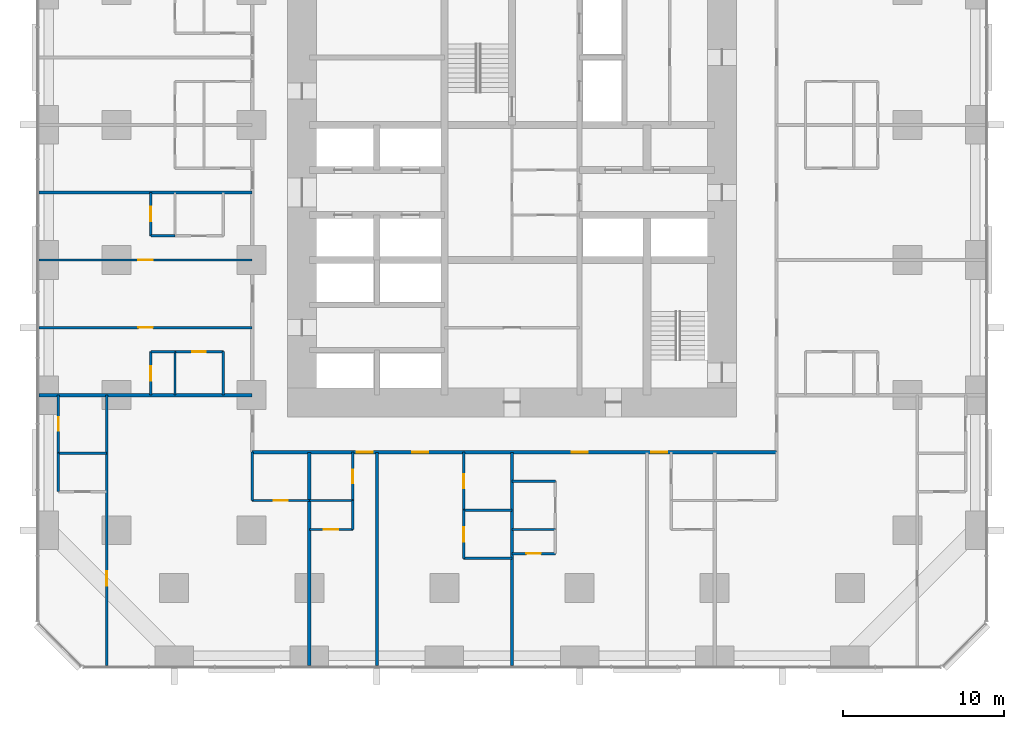
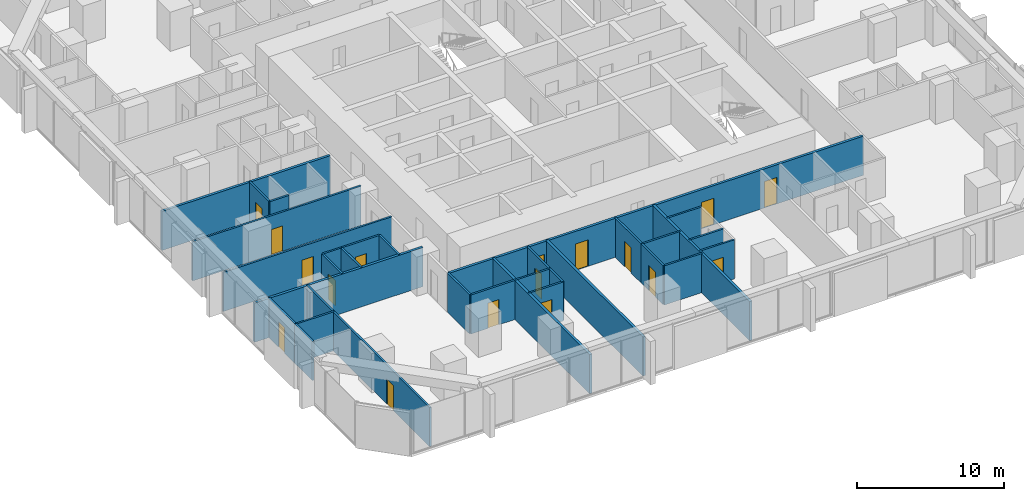
# One storey, part 11 of 17: 32 walls, 17 doors, 17 openings.
"""IFC4 building model written with IfcOpenShell, lengths in metres."""

import ifcopenshell
import ifcopenshell.guid

model = None  # the IFC model being written
_history = None  # IfcOwnerHistory: only IFC2X3 demands one
_inside = {}  # id of a spatial element -> (the spatial element, [elements in it])
_under = {}  # id of a project, library or spatial element -> (it, [spatial elements below it])
_declared = {}  # id of a project -> (the project, [libraries it declares])
_typed = {}  # id of a type object -> (the type object, [elements of that type])
_made_of = {}  # id of a material, layer set ... -> (it, [elements and type objects made of it])


def new_model(schema):
    """Start an empty IFC model of exactly this schema.

    Asked for "IFC4X3", IfcOpenShell would pick the latest addendum, in which some entities
    have other attributes; the version numbers below select the first issue.
    IFC2X3 requires an IfcOwnerHistory on every rooted entity: one is made here for all.
    """
    global model, _history
    if schema == "IFC4X3":
        model = ifcopenshell.file(schema_version=(4, 3, 0, 0))
    else:
        model = ifcopenshell.file(schema=schema)
    _inside.clear()
    _under.clear()
    _declared.clear()
    _typed.clear()
    _made_of.clear()
    _history = None
    if model.schema == "IFC2X3":
        org = make("IfcOrganization", Name="unknown")
        user = make(
            "IfcPersonAndOrganization",
            ThePerson=make("IfcPerson", FamilyName="unknown"),
            TheOrganization=org,
        )
        app = make(
            "IfcApplication",
            ApplicationDeveloper=org,
            Version="unknown",
            ApplicationFullName="unknown",
            ApplicationIdentifier="unknown",
        )
        _history = make(
            "IfcOwnerHistory",
            OwningUser=user,
            OwningApplication=app,
            ChangeAction="ADDED",
            CreationDate=0,
        )
    return model


def make(cls, **values):
    """One entity of the class cls with the attributes given. An attribute that is None is left unset."""
    return model.create_entity(
        cls, **{name: value for name, value in values.items() if value is not None}
    )


def rooted(cls, **values):
    """An entity with a GlobalId (a new one), such as an element, a storey or a relation."""
    return make(cls, GlobalId=ifcopenshell.guid.new(), OwnerHistory=_history, **values)


def si_unit(unit_type, name, prefix=None):
    """IfcSIUnit, for example si_unit("LENGTHUNIT", "METRE", prefix="MILLI")."""
    return make("IfcSIUnit", UnitType=unit_type, Prefix=prefix, Name=name)


def assignment(units):
    """IfcUnitAssignment: the units of a project."""
    return None if units is None else make("IfcUnitAssignment", Units=units)


def point(xyz):
    """IfcCartesianPoint."""
    return None if xyz is None else make("IfcCartesianPoint", Coordinates=xyz)


def direction(xyz):
    """IfcDirection."""
    return None if xyz is None else make("IfcDirection", DirectionRatios=xyz)


def frame(location, z_axis=None, x_axis=None):
    """IfcAxis2Placement3D, a coordinate frame: its origin and axes. An axis left out is left unset."""
    return make(
        "IfcAxis2Placement3D",
        Location=point(location),
        Axis=direction(z_axis),
        RefDirection=direction(x_axis),
    )


def frame_2d(location, x_axis=None):
    """IfcAxis2Placement2D, a coordinate frame in the plane: its origin and x axis."""
    return make(
        "IfcAxis2Placement2D", Location=point(location), RefDirection=direction(x_axis)
    )


def origin():
    """The frame at (0, 0, 0) with its axes left unset."""
    return frame((0.0, 0.0, 0.0))


def place(relative_to, where):
    """IfcLocalPlacement: puts the frame where relative to a parent placement (None: the world)."""
    return make(
        "IfcLocalPlacement", PlacementRelTo=relative_to, RelativePlacement=where
    )


def context(
    kind, dimensions, precision=None, world=None, true_north=None, identifier=None
):
    """IfcGeometricRepresentationContext, for example the 3D "Model" context."""
    return make(
        "IfcGeometricRepresentationContext",
        ContextIdentifier=identifier,
        ContextType=kind,
        CoordinateSpaceDimension=dimensions,
        Precision=precision,
        WorldCoordinateSystem=world,
        TrueNorth=true_north,
    )


def subcontext(parent, identifier, kind, view, scale=None):
    """IfcGeometricRepresentationSubContext, for example "Body" below "Model"."""
    return make(
        "IfcGeometricRepresentationSubContext",
        ContextIdentifier=identifier,
        ContextType=kind,
        ParentContext=parent,
        TargetScale=scale,
        TargetView=view,
    )


def project(units=None, contexts=None):
    """IfcProject with its units and contexts."""
    return rooted(
        "IfcProject",
        Name="project",
        RepresentationContexts=contexts,
        UnitsInContext=assignment(units),
    )


def spatial(cls, under=None, at=None, **own):
    """A site, building, storey or space (cls), placed at a placement, below another one or the project."""
    s = rooted(cls, ObjectPlacement=at, **own)
    if under is not None:
        _under.setdefault(under.id(), (under, []))[1].append(s)
    return s


def profile(cls, at=None, kind="AREA", **sizes):
    """A parametric profile (cls). Its sizes go by their IFC names, for example OverallWidth=200.0."""
    return make(cls, ProfileType=kind, Position=at, **sizes)


def rectangle(**sizes):
    """IfcRectangleProfileDef."""
    return profile("IfcRectangleProfileDef", **sizes)


def extrude(swept, where, along, depth):
    """IfcExtrudedAreaSolid: the profile swept, set in the frame where, extruded along a direction by depth."""
    return make(
        "IfcExtrudedAreaSolid",
        SweptArea=swept,
        Position=where,
        ExtrudedDirection=direction(along),
        Depth=depth,
    )


def shape(context_of_items, identifier, shape_type, items):
    """IfcShapeRepresentation: the items that make up one representation, for example the "Body"."""
    return make(
        "IfcShapeRepresentation",
        ContextOfItems=context_of_items,
        RepresentationIdentifier=identifier,
        RepresentationType=shape_type,
        Items=items,
    )


def material(Name=None, Category=None):
    """IfcMaterial."""
    return make("IfcMaterial", Name=Name, Category=Category)


def layer(
    of_material, thickness, ventilated=None, Name=None, Category=None, Priority=None
):
    """IfcMaterialLayer: one layer of a wall or slab, of a material (None: an air gap)."""
    return make(
        "IfcMaterialLayer",
        Material=of_material,
        LayerThickness=thickness,
        IsVentilated=ventilated,
        Name=Name,
        Category=Category,
        Priority=Priority,
    )


def layer_set(layers, Name=None):
    """IfcMaterialLayerSet."""
    return make("IfcMaterialLayerSet", MaterialLayers=layers, LayerSetName=Name)


def made_of(thing, what):
    """Note that an element or type object is made of a material, layer set ...; save() writes the relation."""
    if what is not None:
        _made_of.setdefault(what.id(), (what, []))[1].append(thing)
    return thing


def type_object(cls, material=None, **own):
    """A type object (cls), such as IfcWallType, which elements share."""
    return made_of(rooted(cls, **own), material)


def element(
    cls,
    number,
    at=None,
    inside=None,
    cuts=None,
    type_object=None,
    material=None,
    context=None,
    identifier="Body",
    shape_type=None,
    held_by="IfcProductDefinitionShape",
    body=None,
    shapes=None,
    **own,
):
    """One element of the class cls, such as IfcWall. Its Tag is "e" and its number.

    at: its placement. inside: the storey or other place that contains it. cuts: it is an
    opening in that element (IfcRelVoidsElement). A single representation is given by context,
    identifier, shape_type and body (its items); several are given by shapes. held_by: the class
    of the entity that holds the representations. save() writes the other relations.
    """
    e = rooted(cls, Tag="e%d" % number, ObjectPlacement=at, **own)
    if body is not None:
        shapes = [shape(context, identifier, shape_type, body)]
    if shapes is not None:
        e.Representation = make(held_by, Representations=shapes)
    if inside is not None:
        _inside.setdefault(inside.id(), (inside, []))[1].append(e)
    if cuts is not None:
        rooted(
            "IfcRelVoidsElement", RelatingBuildingElement=cuts, RelatedOpeningElement=e
        )
    if type_object is not None:
        _typed.setdefault(type_object.id(), (type_object, []))[1].append(e)
    return made_of(e, material)


def fill(opening, filler):
    """IfcRelFillsElement: the door or window that sits in an opening."""
    return rooted(
        "IfcRelFillsElement",
        RelatingOpeningElement=opening,
        RelatedBuildingElement=filler,
    )


def aggregate(whole, parts):
    """IfcRelAggregates: a whole, such as a stair, and the parts it consists of."""
    return rooted("IfcRelAggregates", RelatingObject=whole, RelatedObjects=parts)


def save(model, path):
    """Write the relations noted so far, then the file.

    IfcRelAggregates (storeys below a building ...), IfcRelContainedInSpatialStructure (elements
    in a storey), IfcRelDefinesByType, IfcRelAssociatesMaterial and IfcRelDeclares: one each for
    every whole, place, type object, material and project.
    """
    for whole, parts in _under.values():
        aggregate(whole, parts)
    for where, things in _inside.values():
        rooted(
            "IfcRelContainedInSpatialStructure",
            RelatedElements=things,
            RelatingStructure=where,
        )
    for kind, things in _typed.values():
        rooted("IfcRelDefinesByType", RelatedObjects=things, RelatingType=kind)
    for what, things in _made_of.values():
        rooted("IfcRelAssociatesMaterial", RelatedObjects=things, RelatingMaterial=what)
    for by, libraries in _declared.values():
        rooted("IfcRelDeclares", RelatingContext=by, RelatedDefinitions=libraries)
    model.write(path)


model = new_model("IFC4")

# Units and contexts
model_context = context("Model", 3, precision=1e-05, world=origin(), true_north=direction((0.0, 1.0)))
body_context = subcontext(model_context, "Body", "Model", "MODEL_VIEW")
ifc_project = project(units=[si_unit("LENGTHUNIT", "METRE"), si_unit("AREAUNIT", "SQUARE_METRE"), si_unit("VOLUMEUNIT", "CUBIC_METRE"), si_unit("PLANEANGLEUNIT", "RADIAN"), si_unit("MASSUNIT", "GRAM", prefix="KILO")], contexts=[model_context])

# Site, building, storey
site_placement = place(None, origin())
site = spatial("IfcSite", under=ifc_project, at=site_placement, CompositionType="ELEMENT")
building_placement = place(site_placement, origin())
building = spatial("IfcBuilding", under=site, at=building_placement, Name="Dunama Terrace Hotel", CompositionType="ELEMENT")
storey_placement = place(building_placement, frame((0.0, 0.0, 41.39990234375)))
storey = spatial("IfcBuildingStorey", under=building, at=storey_placement, Name="L09", CompositionType="ELEMENT", Elevation=41.39990234375)

# Wall, opening, door
ifc_material_1 = material(Name="Gypsum board partition", Category="masonry")
ifc_layer_1 = layer(ifc_material_1, 0.14990234375)
ifc_layer_set_1 = layer_set([ifc_layer_1], Name="Bathroom partition 150")
wall_type_1 = type_object("IfcWallType", Name="Bathroom partition 150", PredefinedType="PARTITIONING", material=ifc_layer_set_1)
wall_1_placement = place(storey_placement, frame((1.199951171875, 13.199951171875, 0.0), z_axis=(0.0, 0.0, 1.0), x_axis=(0.0, 1.0, 0.0)))
wall_1 = element("IfcWall", 1, at=wall_1_placement, inside=storey, type_object=wall_type_1, Name="Bathroom partition 150 L09", PredefinedType="PARTITIONING", context=body_context, shape_type="SweptSolid", body=[
    extrude(rectangle(XDim=3.60009765625, YDim=0.14990234375, at=frame_2d((1.800048828125, 0.0))), origin(), (0.0, 0.0, 1.0), 3.25),
])
opening_1_placement = place(wall_1_placement, frame((1.375, 0.0, 0.0)))
opening_1 = element("IfcOpeningElement", 2, at=opening_1_placement, cuts=wall_1, Name="Opening L07-09-061", PredefinedType="OPENING", context=body_context, shape_type="SweptSolid", body=[
    extrude(rectangle(XDim=0.85009765625, YDim=2.10009765625, at=frame_2d((0.425048828125, 1.050048828125))), frame((0.0, 0.0849609375, 0.0), z_axis=(0.0, -1.0, 0.0), x_axis=(1.0, 0.0, 0.0)), (0.0, 0.0, 1.0), 0.169921875),
])
ifc_material_2 = material(Name="Timber door with steel frame", Category="steel")
door_type_1 = type_object("IfcDoorType", Name="Bathroom door 850", OperationType="SINGLE_SWING_LEFT", PredefinedType="DOOR", material=ifc_material_2)
door_1_placement = place(opening_1_placement, frame((0.85009765625, 0.0, 0.0), z_axis=(0.0, 0.0, 1.0), x_axis=(-1.0, 0.0, 0.0)))
door_1 = element("IfcDoor", 3, at=door_1_placement, inside=storey, type_object=door_type_1, Name="Door to en-suite bathroom L07-09-061, type D2", OperationType="SINGLE_SWING_LEFT", OverallHeight=2.10009765625, OverallWidth=0.85009765625, PredefinedType="DOOR", context=body_context, shape_type="SweptSolid", body=[
    extrude(rectangle(XDim=0.85009765625, YDim=2.10009765625, at=frame_2d((0.425048828125, 1.050048828125))), frame((0.0, 0.025146484375, 0.0), z_axis=(0.0, -1.0, 0.0), x_axis=(1.0, 0.0, 0.0)), (0.0, 0.0, 1.0), 0.050048828125),
])
fill(opening_1, door_1)

# Walls
wall_2_placement = place(storey_placement, frame((11.449951171875, 16.800048828125, 0.0), z_axis=(0.0, 0.0, 1.0), x_axis=(0.0, 1.0, 0.0)))
element("IfcWall", 4, at=wall_2_placement, inside=storey, type_object=wall_type_1, Name="Bathroom partition 150 L09", PredefinedType="PARTITIONING", context=body_context, shape_type="SweptSolid", body=[
    extrude(rectangle(XDim=2.699951171875, YDim=0.14990234375, at=frame_2d((1.35009765625, 0.0))), origin(), (0.0, 0.0, 1.0), 3.25),
])
wall_3_placement = place(storey_placement, frame((13.25, 10.25, 0.0), z_axis=(0.0, 0.0, 1.0), x_axis=(0.0, 1.0, 0.0)))
element("IfcWall", 5, at=wall_3_placement, inside=storey, type_object=wall_type_1, Name="Bathroom partition 150 L09", PredefinedType="PARTITIONING", context=body_context, shape_type="SweptSolid", body=[
    extrude(rectangle(XDim=3.0, YDim=0.14990234375, at=frame_2d((1.5, 0.0))), origin(), (0.0, 0.0, 1.0), 3.25),
])

# Wall, opening, door
wall_4_placement = place(storey_placement, frame((19.5, 10.25, 0.0), z_axis=(0.0, 0.0, 1.0), x_axis=(0.0, 1.0, 0.0)))
wall_4 = element("IfcWall", 6, at=wall_4_placement, inside=storey, type_object=wall_type_1, Name="Bathroom partition 150 L09", PredefinedType="PARTITIONING", context=body_context, shape_type="SweptSolid", body=[
    extrude(rectangle(XDim=3.0, YDim=0.14990234375, at=frame_2d((1.5, 0.0))), origin(), (0.0, 0.0, 1.0), 3.25),
])
opening_2_placement = place(wall_4_placement, frame((1.074951171875, 0.0, 0.0)))
opening_2 = element("IfcOpeningElement", 7, at=opening_2_placement, cuts=wall_4, Name="Opening L07-09-010", PredefinedType="OPENING", context=body_context, shape_type="SweptSolid", body=[
    extrude(rectangle(XDim=0.85009765625, YDim=2.10009765625, at=frame_2d((0.425048828125, 1.050048828125))), frame((0.0, 0.0849609375, 0.0), z_axis=(0.0, -1.0, 0.0), x_axis=(1.0, 0.0, 0.0)), (0.0, 0.0, 1.0), 0.169921875),
])
door_2_placement = place(opening_2_placement, origin())
door_2 = element("IfcDoor", 8, at=door_2_placement, inside=storey, type_object=door_type_1, Name="Door to en-suite bathroom L07-09-010, type D2", OperationType="SINGLE_SWING_RIGHT", OverallHeight=2.10009765625, OverallWidth=0.85009765625, PredefinedType="DOOR", context=body_context, shape_type="SweptSolid", body=[
    extrude(rectangle(XDim=0.85009765625, YDim=2.10009765625, at=frame_2d((0.425048828125, 1.050048828125))), frame((0.0, 0.02490234375, 0.0), z_axis=(0.0, -1.0, 0.0), x_axis=(1.0, 0.0, 0.0)), (0.0, 0.0, 1.0), 0.050048828125),
])
fill(opening_2, door_2)

wall_5_placement = place(storey_placement, frame((26.39990234375, 9.64990234375, 0.0), z_axis=(0.0, 0.0, 1.0), x_axis=(0.0, 1.0, 0.0)))
wall_5 = element("IfcWall", 9, at=wall_5_placement, inside=storey, type_object=wall_type_1, Name="Bathroom partition 150 L09", PredefinedType="PARTITIONING", context=body_context, shape_type="SweptSolid", body=[
    extrude(rectangle(XDim=3.60009765625, YDim=0.14990234375, at=frame_2d((1.800048828125, 0.0))), origin(), (0.0, 0.0, 1.0), 3.25),
])
opening_3_placement = place(wall_5_placement, frame((1.375, 0.0, 0.0)))
opening_3 = element("IfcOpeningElement", 10, at=opening_3_placement, cuts=wall_5, Name="Opening L07-09-013", PredefinedType="OPENING", context=body_context, shape_type="SweptSolid", body=[
    extrude(rectangle(XDim=0.85009765625, YDim=2.10009765625, at=frame_2d((0.425048828125, 1.050048828125))), frame((0.0, 0.0849609375, 0.0), z_axis=(0.0, -1.0, 0.0), x_axis=(1.0, 0.0, 0.0)), (0.0, 0.0, 1.0), 0.169921875),
])
door_3_placement = place(opening_3_placement, frame((0.85009765625, 0.0, 0.0), z_axis=(0.0, 0.0, 1.0), x_axis=(-1.0, 0.0, 0.0)))
door_3 = element("IfcDoor", 11, at=door_3_placement, inside=storey, type_object=door_type_1, Name="Door to en-suite bathroom L07-09-013, type D2", OperationType="SINGLE_SWING_LEFT", OverallHeight=2.10009765625, OverallWidth=0.85009765625, PredefinedType="DOOR", context=body_context, shape_type="SweptSolid", body=[
    extrude(rectangle(XDim=0.85009765625, YDim=2.10009765625, at=frame_2d((0.425048828125, 1.050048828125))), frame((0.0, 0.025146484375, 0.0), z_axis=(0.0, -1.0, 0.0), x_axis=(1.0, 0.0, 0.0)), (0.0, 0.0, 1.0), 0.050048828125),
])
fill(opening_3, door_3)

wall_6_placement = place(storey_placement, frame((13.25, 10.25, 0.0), z_axis=(0.0, 0.0, 1.0), x_axis=(1.0, 0.0, 0.0)))
wall_6 = element("IfcWall", 12, at=wall_6_placement, inside=storey, type_object=wall_type_1, Name="Bathroom partition 150 L09", PredefinedType="PARTITIONING", context=body_context, shape_type="SweptSolid", body=[
    extrude(rectangle(XDim=3.550048828125, YDim=0.14990234375, at=frame_2d((1.77490234375, 0.0))), origin(), (0.0, 0.0, 1.0), 3.25),
])
opening_4_placement = place(wall_6_placement, frame((1.35009765625, 0.0, 0.0)))
opening_4 = element("IfcOpeningElement", 13, at=opening_4_placement, cuts=wall_6, Name="Opening L07-09-059", PredefinedType="OPENING", context=body_context, shape_type="SweptSolid", body=[
    extrude(rectangle(XDim=0.85009765625, YDim=2.10009765625, at=frame_2d((0.425048828125, 1.050048828125))), frame((0.0, 0.0849609375, 0.0), z_axis=(0.0, -1.0, 0.0), x_axis=(1.0, 0.0, 0.0)), (0.0, 0.0, 1.0), 0.169921875),
])
door_4_placement = place(opening_4_placement, origin())
door_4 = element("IfcDoor", 14, at=door_4_placement, inside=storey, type_object=door_type_1, Name="Door to powder room L07-09-059, type D2", OperationType="SINGLE_SWING_LEFT", OverallHeight=2.10009765625, OverallWidth=0.85009765625, PredefinedType="DOOR", context=body_context, shape_type="SweptSolid", body=[
    extrude(rectangle(XDim=0.85009765625, YDim=2.10009765625, at=frame_2d((0.425048828125, 1.050048828125))), frame((0.0, 0.02490234375, 0.0), z_axis=(0.0, -1.0, 0.0), x_axis=(1.0, 0.0, 0.0)), (0.0, 0.0, 1.0), 0.050048828125),
])
fill(opening_4, door_4)

# Wall
wall_7_placement = place(storey_placement, frame((29.39990234375, 11.449951171875, 0.0), z_axis=(0.0, 0.0, 1.0), x_axis=(1.0, 0.0, 0.0)))
element("IfcWall", 15, at=wall_7_placement, inside=storey, type_object=wall_type_1, Name="Bathroom partition 150 L09", PredefinedType="PARTITIONING", context=body_context, shape_type="SweptSolid", body=[
    extrude(rectangle(XDim=2.7001953125, YDim=0.14990234375, at=frame_2d((1.35009765625, 0.0))), origin(), (0.0, 0.0, 1.0), 3.25),
])

# Wall, opening, door
wall_8_placement = place(storey_placement, frame((8.449951171875, 19.5, 0.0), z_axis=(0.0, 0.0, 1.0), x_axis=(1.0, 0.0, 0.0)))
wall_8 = element("IfcWall", 16, at=wall_8_placement, inside=storey, type_object=wall_type_1, Name="Bathroom partition 150 L09", PredefinedType="PARTITIONING", context=body_context, shape_type="SweptSolid", body=[
    extrude(rectangle(XDim=3.0, YDim=0.14990234375, at=frame_2d((1.5, 0.0))), origin(), (0.0, 0.0, 1.0), 3.25),
])
opening_5_placement = place(wall_8_placement, frame((1.074951171875, 0.0, 0.0)))
opening_5 = element("IfcOpeningElement", 17, at=opening_5_placement, cuts=wall_8, Name="Opening L07-09-044", PredefinedType="OPENING", context=body_context, shape_type="SweptSolid", body=[
    extrude(rectangle(XDim=0.85009765625, YDim=2.10009765625, at=frame_2d((0.425048828125, 1.050048828125))), frame((0.0, 0.0849609375, 0.0), z_axis=(0.0, -1.0, 0.0), x_axis=(1.0, 0.0, 0.0)), (0.0, 0.0, 1.0), 0.169921875),
])
door_5_placement = place(opening_5_placement, frame((0.85009765625, 0.0, 0.0), z_axis=(0.0, 0.0, 1.0), x_axis=(-1.0, 0.0, 0.0)))
door_5 = element("IfcDoor", 18, at=door_5_placement, inside=storey, type_object=door_type_1, Name="Door to en-suite bathroom L07-09-044, type D2", OperationType="SINGLE_SWING_RIGHT", OverallHeight=2.10009765625, OverallWidth=0.85009765625, PredefinedType="DOOR", context=body_context, shape_type="SweptSolid", body=[
    extrude(rectangle(XDim=0.85009765625, YDim=2.10009765625, at=frame_2d((0.425048828125, 1.050048828125))), frame((0.0, 0.025146484375, 0.0), z_axis=(0.0, -1.0, 0.0), x_axis=(1.0, 0.0, 0.0)), (0.0, 0.0, 1.0), 0.050048828125),
])
fill(opening_5, door_5)

# Wall, openings, doors
ifc_material_3 = material(Name="Concrete blockwork", Category="masonry")
ifc_layer_2 = layer(ifc_material_3, 0.199951171875)
ifc_layer_set_2 = layer_set([ifc_layer_2], Name="Corridor partition 200")
wall_type_2 = type_object("IfcWallType", Name="Corridor partition 200", PredefinedType="PARTITIONING", material=ifc_layer_set_2)
wall_9_placement = place(storey_placement, frame((45.85009765625, 13.25, 0.0), z_axis=(0.0, 0.0, 1.0), x_axis=(-1.0, 0.0, 0.0)))
wall_9 = element("IfcWall", 19, at=wall_9_placement, inside=storey, type_object=wall_type_2, Name="Corridor partition 200 L09", PredefinedType="PARTITIONING", context=body_context, shape_type="SweptSolid", body=[
    extrude(rectangle(XDim=32.60009765625, YDim=0.199951171875, at=frame_2d((16.300048828125, 0.0))), origin(), (0.0, 0.0, 1.0), 3.25),
])
opening_6_placement = place(wall_9_placement, frame((25.10009765625, 0.0, 0.0)))
opening_6 = element("IfcOpeningElement", 20, at=opening_6_placement, cuts=wall_9, Name="Opening L07-09-009", PredefinedType="OPENING", context=body_context, shape_type="SweptSolid", body=[
    extrude(rectangle(XDim=1.0, YDim=2.199951171875, at=frame_2d((0.5, 1.10009765625))), frame((0.0, 0.10986328125, 0.0), z_axis=(0.0, -1.0, 0.0), x_axis=(1.0, 0.0, 0.0)), (0.0, 0.0, 1.0), 0.219970703125),
])
opening_7_placement = place(wall_9_placement, frame((21.64990234375, 0.0, 0.0)))
opening_7 = element("IfcOpeningElement", 21, at=opening_7_placement, cuts=wall_9, Name="Opening L07-09-012", PredefinedType="OPENING", context=body_context, shape_type="SweptSolid", body=[
    extrude(rectangle(XDim=1.0, YDim=2.199951171875, at=frame_2d((0.5, 1.10009765625))), frame((0.0, 0.10986328125, 0.0), z_axis=(0.0, -1.0, 0.0), x_axis=(1.0, 0.0, 0.0)), (0.0, 0.0, 1.0), 0.219970703125),
])
opening_8_placement = place(wall_9_placement, frame((11.75, 0.0, 0.0)))
opening_8 = element("IfcOpeningElement", 22, at=opening_8_placement, cuts=wall_9, Name="Opening L07-09-015", PredefinedType="OPENING", context=body_context, shape_type="SweptSolid", body=[
    extrude(rectangle(XDim=1.0, YDim=2.199951171875, at=frame_2d((0.5, 1.10009765625))), frame((0.0, 0.10986328125, 0.0), z_axis=(0.0, -1.0, 0.0), x_axis=(1.0, 0.0, 0.0)), (0.0, 0.0, 1.0), 0.219970703125),
])
opening_9_placement = place(wall_9_placement, frame((6.800048828125, 0.0, 0.0)))
opening_9 = element("IfcOpeningElement", 23, at=opening_9_placement, cuts=wall_9, Name="Opening L07-09-018", PredefinedType="OPENING", context=body_context, shape_type="SweptSolid", body=[
    extrude(rectangle(XDim=1.0, YDim=2.199951171875, at=frame_2d((0.5, 1.10009765625))), frame((0.0, 0.10986328125, 0.0), z_axis=(0.0, -1.0, 0.0), x_axis=(1.0, 0.0, 0.0)), (0.0, 0.0, 1.0), 0.219970703125),
])
ifc_material_4 = material(Name="Timber door with steel frame", Category="steel")
door_type_2 = type_object("IfcDoorType", Name="Guest room door 1000", OperationType="SINGLE_SWING_LEFT", PredefinedType="DOOR", material=ifc_material_4)
door_6_placement = place(opening_6_placement, origin())
door_6 = element("IfcDoor", 24, at=door_6_placement, inside=storey, type_object=door_type_2, Name="Door to deluxe room L07-09-009, type D1", OperationType="SINGLE_SWING_LEFT", OverallHeight=2.199951171875, OverallWidth=1.0, PredefinedType="DOOR", context=body_context, shape_type="SweptSolid", body=[
    extrude(rectangle(XDim=1.0, YDim=2.199951171875, at=frame_2d((0.5, 1.10009765625))), frame((0.0, 0.02490234375, 0.0), z_axis=(0.0, -1.0, 0.0), x_axis=(1.0, 0.0, 0.0)), (0.0, 0.0, 1.0), 0.050048828125),
])
fill(opening_6, door_6)
door_7_placement = place(opening_7_placement, origin())
door_7 = element("IfcDoor", 25, at=door_7_placement, inside=storey, type_object=door_type_2, Name="Door to bridal suite L07-09-012, type D1", OperationType="SINGLE_SWING_RIGHT", OverallHeight=2.199951171875, OverallWidth=1.0, PredefinedType="DOOR", context=body_context, shape_type="SweptSolid", body=[
    extrude(rectangle(XDim=1.0, YDim=2.199951171875, at=frame_2d((0.5, 1.10009765625))), frame((0.0, 0.02490234375, 0.0), z_axis=(0.0, -1.0, 0.0), x_axis=(1.0, 0.0, 0.0)), (0.0, 0.0, 1.0), 0.050048828125),
])
fill(opening_7, door_7)
door_8_placement = place(opening_8_placement, origin())
door_8 = element("IfcDoor", 26, at=door_8_placement, inside=storey, type_object=door_type_2, Name="Door to junior suite L07-09-015, type D1", OperationType="SINGLE_SWING_RIGHT", OverallHeight=2.199951171875, OverallWidth=1.0, PredefinedType="DOOR", context=body_context, shape_type="SweptSolid", body=[
    extrude(rectangle(XDim=1.0, YDim=2.199951171875, at=frame_2d((0.5, 1.10009765625))), frame((0.0, 0.02490234375, 0.0), z_axis=(0.0, -1.0, 0.0), x_axis=(1.0, 0.0, 0.0)), (0.0, 0.0, 1.0), 0.050048828125),
])
fill(opening_8, door_8)
door_9_placement = place(opening_9_placement, origin())
door_9 = element("IfcDoor", 27, at=door_9_placement, inside=storey, type_object=door_type_2, Name="Door to deluxe room L07-09-018, type D1", OperationType="SINGLE_SWING_RIGHT", OverallHeight=2.199951171875, OverallWidth=1.0, PredefinedType="DOOR", context=body_context, shape_type="SweptSolid", body=[
    extrude(rectangle(XDim=1.0, YDim=2.199951171875, at=frame_2d((0.5, 1.10009765625))), frame((0.0, 0.02490234375, 0.0), z_axis=(0.0, -1.0, 0.0), x_axis=(1.0, 0.0, 0.0)), (0.0, 0.0, 1.0), 0.050048828125),
])
fill(opening_9, door_9)

# Walls
ifc_material_5 = material(Name="Concrete blockwork", Category="masonry")
ifc_layer_3 = layer(ifc_material_5, 0.199951171875)
ifc_layer_set_3 = layer_set([ifc_layer_3], Name="Party wall 200")
wall_type_3 = type_object("IfcWallType", Name="Party wall 200", PredefinedType="PARTITIONING", material=ifc_layer_set_3)
for number, where, z_axis, x_axis, name in (
    (28, (16.800048828125, -0.008056640625, 0.0), (0.0, 0.0, 1.0), (0.0, 1.0, 0.0), "Party wall 200 L09"),
    (29, (21.0, -0.008056640625, 0.0), (0.0, 0.0, 1.0), (0.0, 1.0, 0.0), "Party wall 200 L09"),
    (30, (29.39990234375, -0.008056640625, 0.0), (0.0, 0.0, 1.0), (0.0, 1.0, 0.0), "Party wall 200 L09"),
    (31, (-0.008056640625, 16.800048828125, 0.0), (0.0, 0.0, 1.0), (1.0, 0.0, 0.0), "Party wall 200 L09"),
    (32, (-0.008056640625, 29.39990234375, 0.0), (0.0, 0.0, 1.0), (1.0, 0.0, 0.0), "Party wall 200 L09"),
):
    element("IfcWall", number, at=place(storey_placement, frame(where, z_axis=z_axis, x_axis=x_axis)), inside=storey, type_object=wall_type_3, Name=name, PredefinedType="PARTITIONING", context=body_context, shape_type="SweptSolid", body=[
        extrude(rectangle(XDim=13.258056640625, YDim=0.199951171875, at=frame_2d((6.62890625, 0.0))), origin(), (0.0, 0.0, 1.0), 3.25),
    ])
ifc_material_6 = material(Name="Gypsum board partition", Category="masonry")
ifc_layer_4 = layer(ifc_material_6, 0.14990234375)
ifc_layer_set_4 = layer_set([ifc_layer_4], Name="Room partition 150")
wall_type_4 = type_object("IfcWallType", Name="Room partition 150", PredefinedType="PARTITIONING", material=ifc_layer_set_4)
wall_10_placement = place(storey_placement, frame((1.199951171875, 10.800048828125, 0.0), z_axis=(0.0, 0.0, 1.0), x_axis=(0.0, 1.0, 0.0)))
element("IfcWall", 33, at=wall_10_placement, inside=storey, type_object=wall_type_4, Name="Room partition 150 L09", PredefinedType="PARTITIONING", context=body_context, shape_type="SweptSolid", body=[
    extrude(rectangle(XDim=2.39990234375, YDim=0.14990234375, at=frame_2d((1.199951171875, 0.0))), origin(), (0.0, 0.0, 1.0), 3.25),
])

# Wall, opening, door
wall_11_placement = place(storey_placement, frame((4.199951171875, -0.008056640625, 0.0), z_axis=(0.0, 0.0, 1.0), x_axis=(0.0, 1.0, 0.0)))
wall_11 = element("IfcWall", 34, at=wall_11_placement, inside=storey, type_object=wall_type_4, Name="Room partition 150 L09", PredefinedType="PARTITIONING", context=body_context, shape_type="SweptSolid", body=[
    extrude(rectangle(XDim=16.80810546875, YDim=0.14990234375, at=frame_2d((8.404052734375, 0.0))), origin(), (0.0, 0.0, 1.0), 3.25),
])
opening_10_placement = place(wall_11_placement, frame((4.9580078125, 0.0, 0.0)))
opening_10 = element("IfcOpeningElement", 35, at=opening_10_placement, cuts=wall_11, Name="Opening L07-09-060", PredefinedType="OPENING", context=body_context, shape_type="SweptSolid", body=[
    extrude(rectangle(XDim=0.89990234375, YDim=2.10009765625, at=frame_2d((0.449951171875, 1.050048828125))), frame((0.0, 0.0849609375, 0.0), z_axis=(0.0, -1.0, 0.0), x_axis=(1.0, 0.0, 0.0)), (0.0, 0.0, 1.0), 0.169921875),
])
ifc_material_7 = material(Name="Timber door with steel frame", Category="steel")
door_type_3 = type_object("IfcDoorType", Name="Suite internal door 900", OperationType="SINGLE_SWING_LEFT", PredefinedType="DOOR", material=ifc_material_7)
door_10_placement = place(opening_10_placement, origin())
door_10 = element("IfcDoor", 36, at=door_10_placement, inside=storey, type_object=door_type_3, Name="Door to corner suite bedroom L07-09-060, type D16", OperationType="SINGLE_SWING_RIGHT", OverallHeight=2.10009765625, OverallWidth=0.89990234375, PredefinedType="DOOR", context=body_context, shape_type="SweptSolid", body=[
    extrude(rectangle(XDim=0.89990234375, YDim=2.10009765625, at=frame_2d((0.449951171875, 1.050048828125))), frame((0.0, 0.02490234375, 0.0), z_axis=(0.0, -1.0, 0.0), x_axis=(1.0, 0.0, 0.0)), (0.0, 0.0, 1.0), 0.050048828125),
])
fill(opening_10, door_10)

wall_12_placement = place(storey_placement, frame((6.949951171875, 16.800048828125, 0.0), z_axis=(0.0, 0.0, 1.0), x_axis=(0.0, 1.0, 0.0)))
wall_12 = element("IfcWall", 37, at=wall_12_placement, inside=storey, type_object=wall_type_4, Name="Room partition 150 L09", PredefinedType="PARTITIONING", context=body_context, shape_type="SweptSolid", body=[
    extrude(rectangle(XDim=2.699951171875, YDim=0.14990234375, at=frame_2d((1.35009765625, 0.0))), origin(), (0.0, 0.0, 1.0), 3.25),
])
opening_11_placement = place(wall_12_placement, frame((0.89990234375, 0.0, 0.0)))
opening_11 = element("IfcOpeningElement", 38, at=opening_11_placement, cuts=wall_12, Name="Opening L07-09-045", PredefinedType="OPENING", context=body_context, shape_type="SweptSolid", body=[
    extrude(rectangle(XDim=0.89990234375, YDim=2.10009765625, at=frame_2d((0.449951171875, 1.050048828125))), frame((0.0, 0.0849609375, 0.0), z_axis=(0.0, -1.0, 0.0), x_axis=(1.0, 0.0, 0.0)), (0.0, 0.0, 1.0), 0.169921875),
])
door_11_placement = place(opening_11_placement, frame((0.89990234375, 0.0, 0.0), z_axis=(0.0, 0.0, 1.0), x_axis=(-1.0, 0.0, 0.0)))
door_11 = element("IfcDoor", 39, at=door_11_placement, inside=storey, type_object=door_type_3, Name="Door to walk-in wardrobe L07-09-045, type D16", OperationType="SINGLE_SWING_RIGHT", OverallHeight=2.10009765625, OverallWidth=0.89990234375, PredefinedType="DOOR", context=body_context, shape_type="SweptSolid", body=[
    extrude(rectangle(XDim=0.89990234375, YDim=2.10009765625, at=frame_2d((0.449951171875, 1.050048828125))), frame((0.0, 0.025146484375, 0.0), z_axis=(0.0, -1.0, 0.0), x_axis=(1.0, 0.0, 0.0)), (0.0, 0.0, 1.0), 0.050048828125),
])
fill(opening_11, door_11)

wall_13_placement = place(storey_placement, frame((6.949951171875, 26.699951171875, 0.0), z_axis=(0.0, 0.0, 1.0), x_axis=(0.0, 1.0, 0.0)))
wall_13 = element("IfcWall", 40, at=wall_13_placement, inside=storey, type_object=wall_type_4, Name="Room partition 150 L09", PredefinedType="PARTITIONING", context=body_context, shape_type="SweptSolid", body=[
    extrude(rectangle(XDim=2.699951171875, YDim=0.14990234375, at=frame_2d((1.35009765625, 0.0))), origin(), (0.0, 0.0, 1.0), 3.25),
])
opening_12_placement = place(wall_13_placement, frame((0.89990234375, 0.0, 0.0)))
opening_12 = element("IfcOpeningElement", 41, at=opening_12_placement, cuts=wall_13, Name="Opening L07-09-048", PredefinedType="OPENING", context=body_context, shape_type="SweptSolid", body=[
    extrude(rectangle(XDim=0.89990234375, YDim=2.10009765625, at=frame_2d((0.449951171875, 1.050048828125))), frame((0.0, 0.0849609375, 0.0), z_axis=(0.0, -1.0, 0.0), x_axis=(1.0, 0.0, 0.0)), (0.0, 0.0, 1.0), 0.169921875),
])
door_12_placement = place(opening_12_placement, frame((0.89990234375, 0.0, 0.0), z_axis=(0.0, 0.0, 1.0), x_axis=(-1.0, 0.0, 0.0)))
door_12 = element("IfcDoor", 42, at=door_12_placement, inside=storey, type_object=door_type_3, Name="Door to walk-in wardrobe L07-09-048, type D16", OperationType="SINGLE_SWING_RIGHT", OverallHeight=2.10009765625, OverallWidth=0.89990234375, PredefinedType="DOOR", context=body_context, shape_type="SweptSolid", body=[
    extrude(rectangle(XDim=0.89990234375, YDim=2.10009765625, at=frame_2d((0.449951171875, 1.050048828125))), frame((0.0, 0.025146484375, 0.0), z_axis=(0.0, -1.0, 0.0), x_axis=(1.0, 0.0, 0.0)), (0.0, 0.0, 1.0), 0.050048828125),
])
fill(opening_12, door_12)

# Walls
wall_14_placement = place(storey_placement, frame((8.449951171875, 16.800048828125, 0.0), z_axis=(0.0, 0.0, 1.0), x_axis=(0.0, 1.0, 0.0)))
element("IfcWall", 43, at=wall_14_placement, inside=storey, type_object=wall_type_4, Name="Room partition 150 L09", PredefinedType="PARTITIONING", context=body_context, shape_type="SweptSolid", body=[
    extrude(rectangle(XDim=2.699951171875, YDim=0.14990234375, at=frame_2d((1.35009765625, 0.0))), origin(), (0.0, 0.0, 1.0), 3.25),
])
wall_15_placement = place(storey_placement, frame((19.5, 8.449951171875, 0.0), z_axis=(0.0, 0.0, 1.0), x_axis=(0.0, 1.0, 0.0)))
element("IfcWall", 44, at=wall_15_placement, inside=storey, type_object=wall_type_4, Name="Room partition 150 L09", PredefinedType="PARTITIONING", context=body_context, shape_type="SweptSolid", body=[
    extrude(rectangle(XDim=1.800048828125, YDim=0.14990234375, at=frame_2d((0.89990234375, 0.0))), origin(), (0.0, 0.0, 1.0), 3.25),
])

# Wall, opening, door
wall_16_placement = place(storey_placement, frame((26.39990234375, 6.64990234375, 0.0), z_axis=(0.0, 0.0, 1.0), x_axis=(0.0, 1.0, 0.0)))
wall_16 = element("IfcWall", 45, at=wall_16_placement, inside=storey, type_object=wall_type_4, Name="Room partition 150 L09", PredefinedType="PARTITIONING", context=body_context, shape_type="SweptSolid", body=[
    extrude(rectangle(XDim=3.0, YDim=0.14990234375, at=frame_2d((1.5, 0.0))), origin(), (0.0, 0.0, 1.0), 3.25),
])
opening_13_placement = place(wall_16_placement, frame((1.050048828125, 0.0, 0.0)))
opening_13 = element("IfcOpeningElement", 46, at=opening_13_placement, cuts=wall_16, Name="Opening L07-09-014", PredefinedType="OPENING", context=body_context, shape_type="SweptSolid", body=[
    extrude(rectangle(XDim=0.89990234375, YDim=2.10009765625, at=frame_2d((0.449951171875, 1.050048828125))), frame((0.0, 0.0849609375, 0.0), z_axis=(0.0, -1.0, 0.0), x_axis=(1.0, 0.0, 0.0)), (0.0, 0.0, 1.0), 0.169921875),
])
door_13_placement = place(opening_13_placement, frame((0.89990234375, 0.0, 0.0), z_axis=(0.0, 0.0, 1.0), x_axis=(-1.0, 0.0, 0.0)))
door_13 = element("IfcDoor", 47, at=door_13_placement, inside=storey, type_object=door_type_3, Name="Door to bridal dressing room L07-09-014, type D16", OperationType="SINGLE_SWING_RIGHT", OverallHeight=2.10009765625, OverallWidth=0.89990234375, PredefinedType="DOOR", context=body_context, shape_type="SweptSolid", body=[
    extrude(rectangle(XDim=0.89990234375, YDim=2.10009765625, at=frame_2d((0.449951171875, 1.050048828125))), frame((0.0, 0.025146484375, 0.0), z_axis=(0.0, -1.0, 0.0), x_axis=(1.0, 0.0, 0.0)), (0.0, 0.0, 1.0), 0.050048828125),
])
fill(opening_13, door_13)

# Wall
wall_17_placement = place(storey_placement, frame((26.39990234375, 6.64990234375, 0.0), z_axis=(0.0, 0.0, 1.0), x_axis=(1.0, 0.0, 0.0)))
element("IfcWall", 48, at=wall_17_placement, inside=storey, type_object=wall_type_4, Name="Room partition 150 L09", PredefinedType="PARTITIONING", context=body_context, shape_type="SweptSolid", body=[
    extrude(rectangle(XDim=3.0, YDim=0.14990234375, at=frame_2d((1.5, 0.0))), origin(), (0.0, 0.0, 1.0), 3.25),
])

# Wall, opening, door
wall_18_placement = place(storey_placement, frame((29.39990234375, 6.949951171875, 0.0), z_axis=(0.0, 0.0, 1.0), x_axis=(1.0, 0.0, 0.0)))
wall_18 = element("IfcWall", 49, at=wall_18_placement, inside=storey, type_object=wall_type_4, Name="Room partition 150 L09", PredefinedType="PARTITIONING", context=body_context, shape_type="SweptSolid", body=[
    extrude(rectangle(XDim=2.7001953125, YDim=0.14990234375, at=frame_2d((1.35009765625, 0.0))), origin(), (0.0, 0.0, 1.0), 3.25),
])
opening_14_placement = place(wall_18_placement, frame((0.89990234375, 0.0, 0.0)))
opening_14 = element("IfcOpeningElement", 50, at=opening_14_placement, cuts=wall_18, Name="Opening L07-09-017", PredefinedType="OPENING", context=body_context, shape_type="SweptSolid", body=[
    extrude(rectangle(XDim=0.89990234375, YDim=2.10009765625, at=frame_2d((0.449951171875, 1.050048828125))), frame((0.0, 0.0849609375, 0.0), z_axis=(0.0, -1.0, 0.0), x_axis=(1.0, 0.0, 0.0)), (0.0, 0.0, 1.0), 0.169921875),
])
door_14_placement = place(opening_14_placement, origin())
door_14 = element("IfcDoor", 51, at=door_14_placement, inside=storey, type_object=door_type_3, Name="Door to walk-in wardrobe L07-09-017, type D16", OperationType="SINGLE_SWING_LEFT", OverallHeight=2.10009765625, OverallWidth=0.89990234375, PredefinedType="DOOR", context=body_context, shape_type="SweptSolid", body=[
    extrude(rectangle(XDim=0.89990234375, YDim=2.10009765625, at=frame_2d((0.449951171875, 1.050048828125))), frame((0.0, 0.02490234375, 0.0), z_axis=(0.0, -1.0, 0.0), x_axis=(1.0, 0.0, 0.0)), (0.0, 0.0, 1.0), 0.050048828125),
])
fill(opening_14, door_14)

wall_19_placement = place(storey_placement, frame((16.800048828125, 8.449951171875, 0.0), z_axis=(0.0, 0.0, 1.0), x_axis=(1.0, 0.0, 0.0)))
wall_19 = element("IfcWall", 52, at=wall_19_placement, inside=storey, type_object=wall_type_4, Name="Room partition 150 L09", PredefinedType="PARTITIONING", context=body_context, shape_type="SweptSolid", body=[
    extrude(rectangle(XDim=2.699951171875, YDim=0.14990234375, at=frame_2d((1.35009765625, 0.0))), origin(), (0.0, 0.0, 1.0), 3.25),
])
opening_15_placement = place(wall_19_placement, frame((0.89990234375, 0.0, 0.0)))
opening_15 = element("IfcOpeningElement", 53, at=opening_15_placement, cuts=wall_19, Name="Opening L07-09-011", PredefinedType="OPENING", context=body_context, shape_type="SweptSolid", body=[
    extrude(rectangle(XDim=0.89990234375, YDim=2.10009765625, at=frame_2d((0.449951171875, 1.050048828125))), frame((0.0, 0.0849609375, 0.0), z_axis=(0.0, -1.0, 0.0), x_axis=(1.0, 0.0, 0.0)), (0.0, 0.0, 1.0), 0.169921875),
])
door_15_placement = place(opening_15_placement, origin())
door_15 = element("IfcDoor", 54, at=door_15_placement, inside=storey, type_object=door_type_3, Name="Door to walk-in wardrobe L07-09-011, type D16", OperationType="SINGLE_SWING_LEFT", OverallHeight=2.10009765625, OverallWidth=0.89990234375, PredefinedType="DOOR", context=body_context, shape_type="SweptSolid", body=[
    extrude(rectangle(XDim=0.89990234375, YDim=2.10009765625, at=frame_2d((0.449951171875, 1.050048828125))), frame((0.0, 0.02490234375, 0.0), z_axis=(0.0, -1.0, 0.0), x_axis=(1.0, 0.0, 0.0)), (0.0, 0.0, 1.0), 0.050048828125),
])
fill(opening_15, door_15)

# Walls
wall_20_placement = place(storey_placement, frame((29.39990234375, 8.449951171875, 0.0), z_axis=(0.0, 0.0, 1.0), x_axis=(1.0, 0.0, 0.0)))
element("IfcWall", 55, at=wall_20_placement, inside=storey, type_object=wall_type_4, Name="Room partition 150 L09", PredefinedType="PARTITIONING", context=body_context, shape_type="SweptSolid", body=[
    extrude(rectangle(XDim=2.7001953125, YDim=0.14990234375, at=frame_2d((1.35009765625, 0.0))), origin(), (0.0, 0.0, 1.0), 3.25),
])
wall_21_placement = place(storey_placement, frame((26.39990234375, 9.64990234375, 0.0), z_axis=(0.0, 0.0, 1.0), x_axis=(1.0, 0.0, 0.0)))
element("IfcWall", 56, at=wall_21_placement, inside=storey, type_object=wall_type_4, Name="Room partition 150 L09", PredefinedType="PARTITIONING", context=body_context, shape_type="SweptSolid", body=[
    extrude(rectangle(XDim=3.0, YDim=0.14990234375, at=frame_2d((1.5, 0.0))), origin(), (0.0, 0.0, 1.0), 3.25),
])
wall_22_placement = place(storey_placement, frame((16.800048828125, 10.25, 0.0), z_axis=(0.0, 0.0, 1.0), x_axis=(1.0, 0.0, 0.0)))
element("IfcWall", 57, at=wall_22_placement, inside=storey, type_object=wall_type_4, Name="Room partition 150 L09", PredefinedType="PARTITIONING", context=body_context, shape_type="SweptSolid", body=[
    extrude(rectangle(XDim=2.699951171875, YDim=0.14990234375, at=frame_2d((1.35009765625, 0.0))), origin(), (0.0, 0.0, 1.0), 3.25),
])
wall_23_placement = place(storey_placement, frame((1.199951171875, 13.199951171875, 0.0), z_axis=(0.0, 0.0, 1.0), x_axis=(1.0, 0.0, 0.0)))
element("IfcWall", 58, at=wall_23_placement, inside=storey, type_object=wall_type_4, Name="Room partition 150 L09", PredefinedType="PARTITIONING", context=body_context, shape_type="SweptSolid", body=[
    extrude(rectangle(XDim=3.0, YDim=0.14990234375, at=frame_2d((1.5, 0.0))), origin(), (0.0, 0.0, 1.0), 3.25),
])
wall_24_placement = place(storey_placement, frame((6.949951171875, 19.5, 0.0), z_axis=(0.0, 0.0, 1.0), x_axis=(1.0, 0.0, 0.0)))
element("IfcWall", 59, at=wall_24_placement, inside=storey, type_object=wall_type_4, Name="Room partition 150 L09", PredefinedType="PARTITIONING", context=body_context, shape_type="SweptSolid", body=[
    extrude(rectangle(XDim=1.5, YDim=0.14990234375, at=frame_2d((0.75, 0.0))), origin(), (0.0, 0.0, 1.0), 3.25),
])

# Wall, opening, door
wall_25_placement = place(storey_placement, frame((-0.008056640625, 21.0, 0.0), z_axis=(0.0, 0.0, 1.0), x_axis=(1.0, 0.0, 0.0)))
wall_25 = element("IfcWall", 60, at=wall_25_placement, inside=storey, type_object=wall_type_4, Name="Room partition 150 L09", PredefinedType="PARTITIONING", context=body_context, shape_type="SweptSolid", body=[
    extrude(rectangle(XDim=13.258056640625, YDim=0.14990234375, at=frame_2d((6.62890625, 0.0))), origin(), (0.0, 0.0, 1.0), 3.25),
])
opening_16_placement = place(wall_25_placement, frame((6.18310546875, 0.0, 0.0)))
opening_16 = element("IfcOpeningElement", 61, at=opening_16_placement, cuts=wall_25, Name="Opening L07-09-043", PredefinedType="OPENING", context=body_context, shape_type="SweptSolid", body=[
    extrude(rectangle(XDim=0.89990234375, YDim=2.10009765625, at=frame_2d((0.449951171875, 1.050048828125))), frame((0.0, 0.0849609375, 0.0), z_axis=(0.0, -1.0, 0.0), x_axis=(1.0, 0.0, 0.0)), (0.0, 0.0, 1.0), 0.169921875),
])
door_16_placement = place(opening_16_placement, frame((0.89990234375, 0.0, 0.0), z_axis=(0.0, 0.0, 1.0), x_axis=(-1.0, 0.0, 0.0)))
door_16 = element("IfcDoor", 62, at=door_16_placement, inside=storey, type_object=door_type_3, Name="Door to family suite bedroom L07-09-043, type D16", OperationType="SINGLE_SWING_LEFT", OverallHeight=2.10009765625, OverallWidth=0.89990234375, PredefinedType="DOOR", context=body_context, shape_type="SweptSolid", body=[
    extrude(rectangle(XDim=0.89990234375, YDim=2.10009765625, at=frame_2d((0.449951171875, 1.050048828125))), frame((0.0, 0.025146484375, 0.0), z_axis=(0.0, -1.0, 0.0), x_axis=(1.0, 0.0, 0.0)), (0.0, 0.0, 1.0), 0.050048828125),
])
fill(opening_16, door_16)

wall_26_placement = place(storey_placement, frame((-0.008056640625, 25.199951171875, 0.0), z_axis=(0.0, 0.0, 1.0), x_axis=(1.0, 0.0, 0.0)))
wall_26 = element("IfcWall", 63, at=wall_26_placement, inside=storey, type_object=wall_type_4, Name="Room partition 150 L09", PredefinedType="PARTITIONING", context=body_context, shape_type="SweptSolid", body=[
    extrude(rectangle(XDim=13.258056640625, YDim=0.14990234375, at=frame_2d((6.62890625, 0.0))), origin(), (0.0, 0.0, 1.0), 3.25),
])
opening_17_placement = place(wall_26_placement, frame((6.18310546875, 0.0, 0.0)))
opening_17 = element("IfcOpeningElement", 64, at=opening_17_placement, cuts=wall_26, Name="Opening L07-09-046", PredefinedType="OPENING", context=body_context, shape_type="SweptSolid", body=[
    extrude(rectangle(XDim=0.89990234375, YDim=2.10009765625, at=frame_2d((0.449951171875, 1.050048828125))), frame((0.0, 0.0849609375, 0.0), z_axis=(0.0, -1.0, 0.0), x_axis=(1.0, 0.0, 0.0)), (0.0, 0.0, 1.0), 0.169921875),
])
door_17_placement = place(opening_17_placement, origin())
door_17 = element("IfcDoor", 65, at=door_17_placement, inside=storey, type_object=door_type_3, Name="Door to family suite second bedroom L07-09-046, type D16", OperationType="SINGLE_SWING_LEFT", OverallHeight=2.10009765625, OverallWidth=0.89990234375, PredefinedType="DOOR", context=body_context, shape_type="SweptSolid", body=[
    extrude(rectangle(XDim=0.89990234375, YDim=2.10009765625, at=frame_2d((0.449951171875, 1.050048828125))), frame((0.0, 0.02490234375, 0.0), z_axis=(0.0, -1.0, 0.0), x_axis=(1.0, 0.0, 0.0)), (0.0, 0.0, 1.0), 0.050048828125),
])
fill(opening_17, door_17)

# Wall
wall_27_placement = place(storey_placement, frame((6.949951171875, 26.699951171875, 0.0), z_axis=(0.0, 0.0, 1.0), x_axis=(1.0, 0.0, 0.0)))
element("IfcWall", 66, at=wall_27_placement, inside=storey, type_object=wall_type_4, Name="Room partition 150 L09", PredefinedType="PARTITIONING", context=body_context, shape_type="SweptSolid", body=[
    extrude(rectangle(XDim=1.5, YDim=0.14990234375, at=frame_2d((0.75, 0.0))), origin(), (0.0, 0.0, 1.0), 3.25),
])

save(model, "model.ifc")
